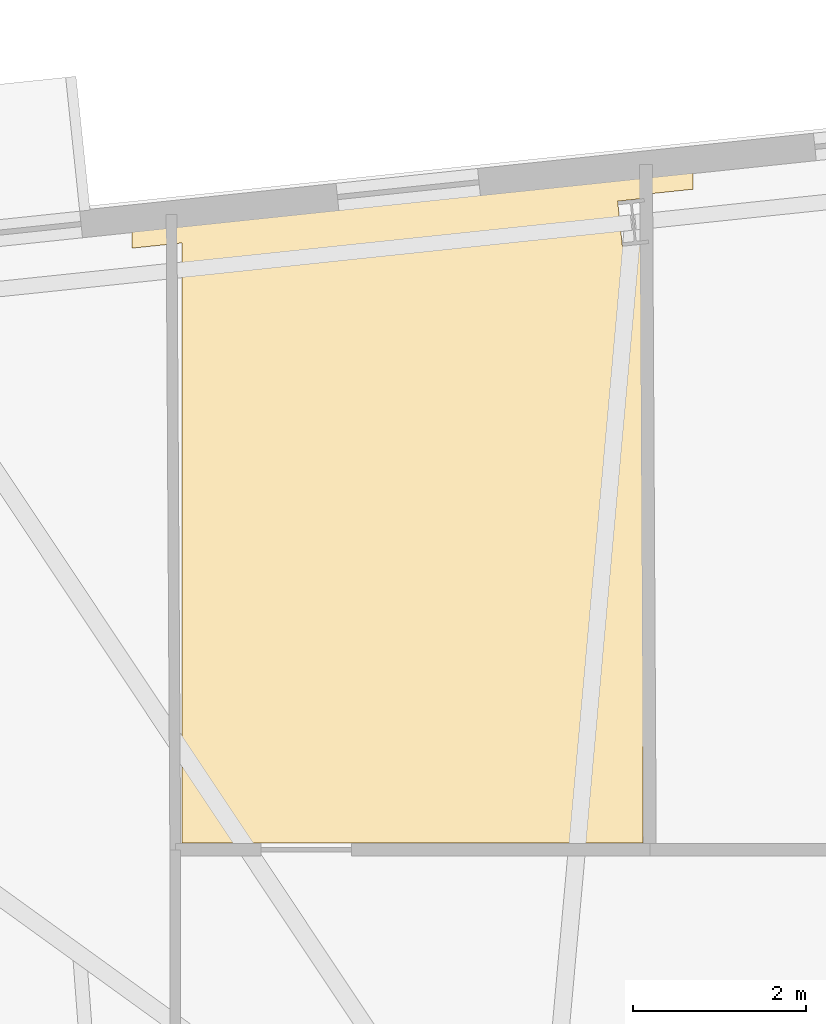
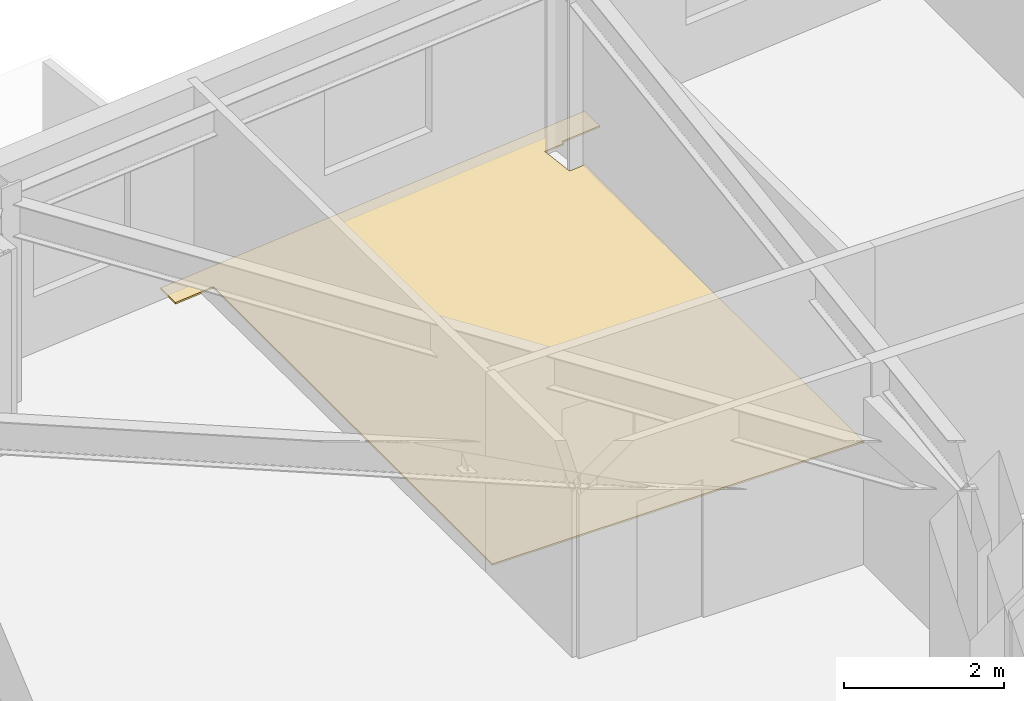
# One storey, part 18 of 18: 1 covering.
"""IFC4 building model written with IfcOpenShell, lengths in metres."""

from ifc_helpers import new_model, si_unit, direction, frame, origin, place, context, subcontext, project, spatial, polyline, outline, extrude, material, layer, layer_set, type_object, element, save


model = new_model("IFC4")

# Units and contexts
model_context = context("Model", 3, precision=1e-05, world=origin(), true_north=direction((0.0, 1.0)))
body_context = subcontext(model_context, "Body", "Model", "MODEL_VIEW")
ifc_project = project(units=[si_unit("LENGTHUNIT", "METRE"), si_unit("AREAUNIT", "SQUARE_METRE"), si_unit("VOLUMEUNIT", "CUBIC_METRE"), si_unit("PLANEANGLEUNIT", "RADIAN"), si_unit("MASSUNIT", "GRAM", prefix="KILO")], contexts=[model_context])

# Site, building, storey
site_placement = place(None, origin())
site = spatial("IfcSite", under=ifc_project, at=site_placement, CompositionType="ELEMENT")
building_placement = place(site_placement, origin())
building = spatial("IfcBuilding", under=site, at=building_placement, Name="Qobustan Lattice House", CompositionType="ELEMENT")
storey_placement = place(building_placement, frame((0.0, 0.0, 109.14990234375)))
storey = spatial("IfcBuildingStorey", under=building, at=storey_placement, Name="L30", CompositionType="ELEMENT", Elevation=109.14990234375)

# Covering
ifc_material = material(Name="Honed Absheron stone terrazzo flooring", Category="masonry")
ifc_layer = layer(ifc_material, 0.02490234375)
ifc_layer_set = layer_set([ifc_layer], Name="Honed Absheron stone terrazzo flooring")
covering_type = type_object("IfcCoveringType", Name="COV-TERRAZZO-FLR", PredefinedType="FLOORING", material=ifc_layer_set)
covering_placement = place(storey_placement, origin())
element("IfcCovering", 1, at=covering_placement, inside=storey, type_object=covering_type, Name="L30 Focus study room N1A stone terrazzo flooring", PredefinedType="FLOORING", context=body_context, shape_type="SweptSolid", body=[
    extrude(outline(polyline([(-23.5, 17.9951171875), (-23.5, 17.623046875), (-22.919921875, 17.683837890625), (-22.919921875, 10.72998046875), (-17.580078125, 10.72998046875), (-17.580078125, 17.668212890625), (-17.8173828125, 17.64306640625), (-17.87255859375, 18.168212890625), (-17.580078125, 18.198974609375), (-17.580078125, 18.2451171875), (-17.0, 18.30615234375), (-17.0, 18.67822265625), (-23.5, 17.9951171875)])), origin(), (0.0, 0.0, 1.0), 0.025146484375),
])

save(model, "model.ifc")
